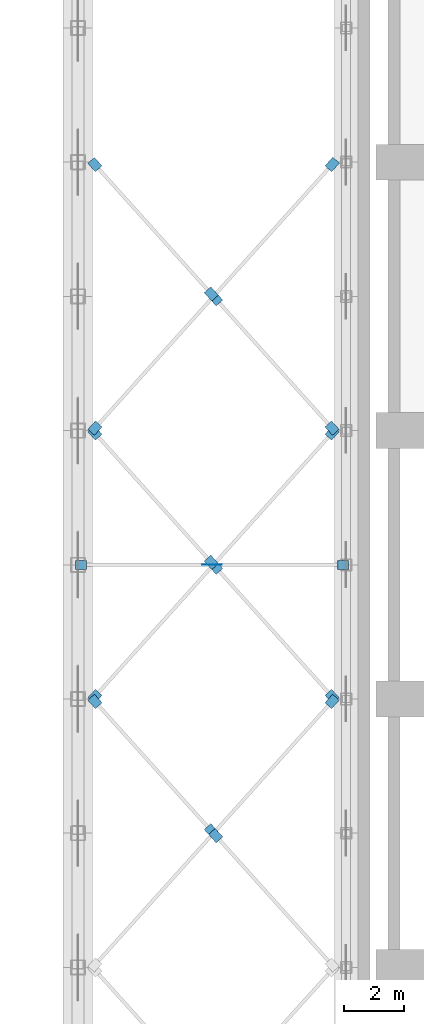
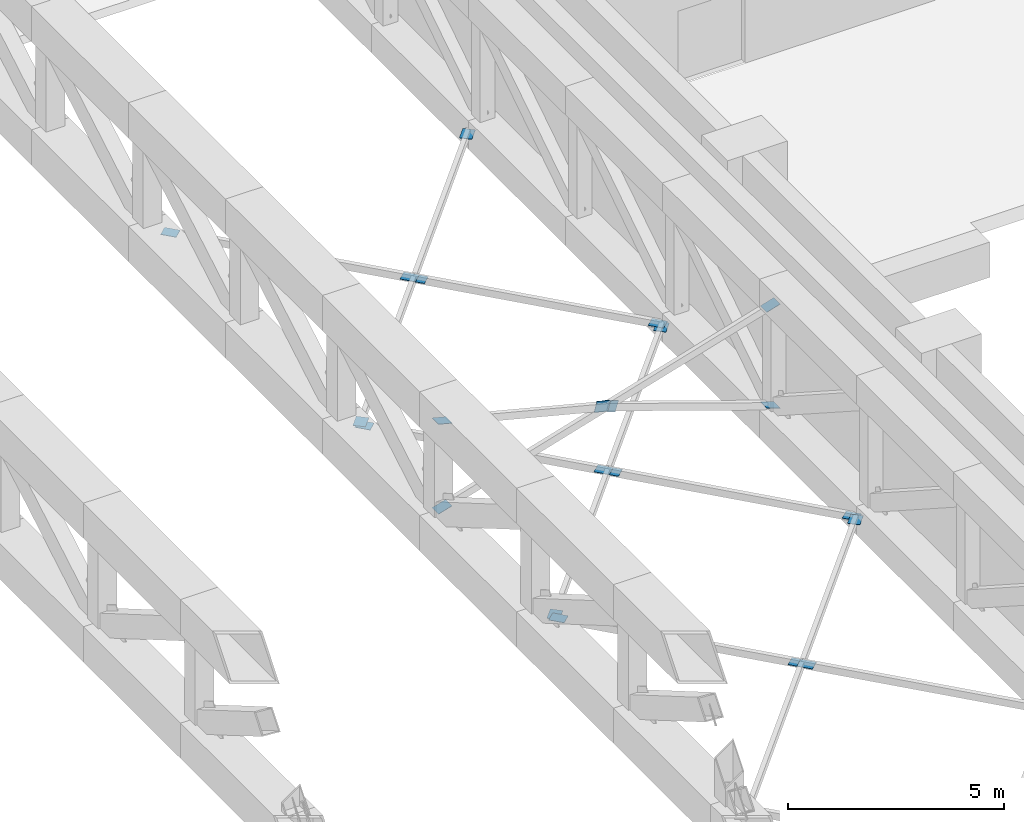
# One storey, part 64 of 76: 22 discrete accessories.
"""IFC4 building model written with IfcOpenShell, lengths in metres."""

import ifcopenshell
import ifcopenshell.guid

model = None  # the IFC model being written
_history = None  # IfcOwnerHistory: only IFC2X3 demands one
_inside = {}  # id of a spatial element -> (the spatial element, [elements in it])
_under = {}  # id of a project, library or spatial element -> (it, [spatial elements below it])
_declared = {}  # id of a project -> (the project, [libraries it declares])
_typed = {}  # id of a type object -> (the type object, [elements of that type])
_made_of = {}  # id of a material, layer set ... -> (it, [elements and type objects made of it])


def new_model(schema):
    """Start an empty IFC model of exactly this schema.

    Asked for "IFC4X3", IfcOpenShell would pick the latest addendum, in which some entities
    have other attributes; the version numbers below select the first issue.
    IFC2X3 requires an IfcOwnerHistory on every rooted entity: one is made here for all.
    """
    global model, _history
    if schema == "IFC4X3":
        model = ifcopenshell.file(schema_version=(4, 3, 0, 0))
    else:
        model = ifcopenshell.file(schema=schema)
    _inside.clear()
    _under.clear()
    _declared.clear()
    _typed.clear()
    _made_of.clear()
    _history = None
    if model.schema == "IFC2X3":
        org = make("IfcOrganization", Name="unknown")
        user = make(
            "IfcPersonAndOrganization",
            ThePerson=make("IfcPerson", FamilyName="unknown"),
            TheOrganization=org,
        )
        app = make(
            "IfcApplication",
            ApplicationDeveloper=org,
            Version="unknown",
            ApplicationFullName="unknown",
            ApplicationIdentifier="unknown",
        )
        _history = make(
            "IfcOwnerHistory",
            OwningUser=user,
            OwningApplication=app,
            ChangeAction="ADDED",
            CreationDate=0,
        )
    return model


def make(cls, **values):
    """One entity of the class cls with the attributes given. An attribute that is None is left unset."""
    return model.create_entity(
        cls, **{name: value for name, value in values.items() if value is not None}
    )


def rooted(cls, **values):
    """An entity with a GlobalId (a new one), such as an element, a storey or a relation."""
    return make(cls, GlobalId=ifcopenshell.guid.new(), OwnerHistory=_history, **values)


def si_unit(unit_type, name, prefix=None):
    """IfcSIUnit, for example si_unit("LENGTHUNIT", "METRE", prefix="MILLI")."""
    return make("IfcSIUnit", UnitType=unit_type, Prefix=prefix, Name=name)


def assignment(units):
    """IfcUnitAssignment: the units of a project."""
    return None if units is None else make("IfcUnitAssignment", Units=units)


def point(xyz):
    """IfcCartesianPoint."""
    return None if xyz is None else make("IfcCartesianPoint", Coordinates=xyz)


def direction(xyz):
    """IfcDirection."""
    return None if xyz is None else make("IfcDirection", DirectionRatios=xyz)


def frame(location, z_axis=None, x_axis=None):
    """IfcAxis2Placement3D, a coordinate frame: its origin and axes. An axis left out is left unset."""
    return make(
        "IfcAxis2Placement3D",
        Location=point(location),
        Axis=direction(z_axis),
        RefDirection=direction(x_axis),
    )


def origin():
    """The frame at (0, 0, 0) with its axes left unset."""
    return frame((0.0, 0.0, 0.0))


def place(relative_to, where):
    """IfcLocalPlacement: puts the frame where relative to a parent placement (None: the world)."""
    return make(
        "IfcLocalPlacement", PlacementRelTo=relative_to, RelativePlacement=where
    )


def context(
    kind, dimensions, precision=None, world=None, true_north=None, identifier=None
):
    """IfcGeometricRepresentationContext, for example the 3D "Model" context."""
    return make(
        "IfcGeometricRepresentationContext",
        ContextIdentifier=identifier,
        ContextType=kind,
        CoordinateSpaceDimension=dimensions,
        Precision=precision,
        WorldCoordinateSystem=world,
        TrueNorth=true_north,
    )


def subcontext(parent, identifier, kind, view, scale=None):
    """IfcGeometricRepresentationSubContext, for example "Body" below "Model"."""
    return make(
        "IfcGeometricRepresentationSubContext",
        ContextIdentifier=identifier,
        ContextType=kind,
        ParentContext=parent,
        TargetScale=scale,
        TargetView=view,
    )


def project(units=None, contexts=None):
    """IfcProject with its units and contexts."""
    return rooted(
        "IfcProject",
        Name="project",
        RepresentationContexts=contexts,
        UnitsInContext=assignment(units),
    )


def spatial(cls, under=None, at=None, **own):
    """A site, building, storey or space (cls), placed at a placement, below another one or the project."""
    s = rooted(cls, ObjectPlacement=at, **own)
    if under is not None:
        _under.setdefault(under.id(), (under, []))[1].append(s)
    return s


def polyline(points):
    """IfcPolyline through the points."""
    return make("IfcPolyline", Points=[point(p) for p in points])


def outline(outer, holes=None, kind="AREA"):
    """IfcArbitraryClosedProfileDef: a profile drawn as a closed curve; with holes, ...WithVoids."""
    if holes is None:
        return make("IfcArbitraryClosedProfileDef", ProfileType=kind, OuterCurve=outer)
    return make(
        "IfcArbitraryProfileDefWithVoids",
        ProfileType=kind,
        OuterCurve=outer,
        InnerCurves=holes,
    )


def extrude(swept, where, along, depth):
    """IfcExtrudedAreaSolid: the profile swept, set in the frame where, extruded along a direction by depth."""
    return make(
        "IfcExtrudedAreaSolid",
        SweptArea=swept,
        Position=where,
        ExtrudedDirection=direction(along),
        Depth=depth,
    )


def shape(context_of_items, identifier, shape_type, items):
    """IfcShapeRepresentation: the items that make up one representation, for example the "Body"."""
    return make(
        "IfcShapeRepresentation",
        ContextOfItems=context_of_items,
        RepresentationIdentifier=identifier,
        RepresentationType=shape_type,
        Items=items,
    )


def material(Name=None, Category=None):
    """IfcMaterial."""
    return make("IfcMaterial", Name=Name, Category=Category)


def layer(
    of_material, thickness, ventilated=None, Name=None, Category=None, Priority=None
):
    """IfcMaterialLayer: one layer of a wall or slab, of a material (None: an air gap)."""
    return make(
        "IfcMaterialLayer",
        Material=of_material,
        LayerThickness=thickness,
        IsVentilated=ventilated,
        Name=Name,
        Category=Category,
        Priority=Priority,
    )


def layer_set(layers, Name=None):
    """IfcMaterialLayerSet."""
    return make("IfcMaterialLayerSet", MaterialLayers=layers, LayerSetName=Name)


def made_of(thing, what):
    """Note that an element or type object is made of a material, layer set ...; save() writes the relation."""
    if what is not None:
        _made_of.setdefault(what.id(), (what, []))[1].append(thing)
    return thing


def type_object(cls, material=None, **own):
    """A type object (cls), such as IfcWallType, which elements share."""
    return made_of(rooted(cls, **own), material)


def element(
    cls,
    number,
    at=None,
    inside=None,
    cuts=None,
    type_object=None,
    material=None,
    context=None,
    identifier="Body",
    shape_type=None,
    held_by="IfcProductDefinitionShape",
    body=None,
    shapes=None,
    **own,
):
    """One element of the class cls, such as IfcWall. Its Tag is "e" and its number.

    at: its placement. inside: the storey or other place that contains it. cuts: it is an
    opening in that element (IfcRelVoidsElement). A single representation is given by context,
    identifier, shape_type and body (its items); several are given by shapes. held_by: the class
    of the entity that holds the representations. save() writes the other relations.
    """
    e = rooted(cls, Tag="e%d" % number, ObjectPlacement=at, **own)
    if body is not None:
        shapes = [shape(context, identifier, shape_type, body)]
    if shapes is not None:
        e.Representation = make(held_by, Representations=shapes)
    if inside is not None:
        _inside.setdefault(inside.id(), (inside, []))[1].append(e)
    if cuts is not None:
        rooted(
            "IfcRelVoidsElement", RelatingBuildingElement=cuts, RelatedOpeningElement=e
        )
    if type_object is not None:
        _typed.setdefault(type_object.id(), (type_object, []))[1].append(e)
    return made_of(e, material)


def aggregate(whole, parts):
    """IfcRelAggregates: a whole, such as a stair, and the parts it consists of."""
    return rooted("IfcRelAggregates", RelatingObject=whole, RelatedObjects=parts)


def save(model, path):
    """Write the relations noted so far, then the file.

    IfcRelAggregates (storeys below a building ...), IfcRelContainedInSpatialStructure (elements
    in a storey), IfcRelDefinesByType, IfcRelAssociatesMaterial and IfcRelDeclares: one each for
    every whole, place, type object, material and project.
    """
    for whole, parts in _under.values():
        aggregate(whole, parts)
    for where, things in _inside.values():
        rooted(
            "IfcRelContainedInSpatialStructure",
            RelatedElements=things,
            RelatingStructure=where,
        )
    for kind, things in _typed.values():
        rooted("IfcRelDefinesByType", RelatedObjects=things, RelatingType=kind)
    for what, things in _made_of.values():
        rooted("IfcRelAssociatesMaterial", RelatedObjects=things, RelatingMaterial=what)
    for by, libraries in _declared.values():
        rooted("IfcRelDeclares", RelatingContext=by, RelatedDefinitions=libraries)
    model.write(path)


model = new_model("IFC4")

# Units and contexts
model_context = context("Model", 3, precision=1e-05, world=origin(), true_north=direction((0.0, 1.0)))
body_context = subcontext(model_context, "Body", "Model", "MODEL_VIEW")
ifc_project = project(units=[si_unit("LENGTHUNIT", "METRE"), si_unit("AREAUNIT", "SQUARE_METRE"), si_unit("VOLUMEUNIT", "CUBIC_METRE"), si_unit("PLANEANGLEUNIT", "RADIAN"), si_unit("MASSUNIT", "GRAM", prefix="KILO")], contexts=[model_context])

# Site, building, storey
site_placement = place(None, origin())
site = spatial("IfcSite", under=ifc_project, at=site_placement, CompositionType="ELEMENT")
building_placement = place(site_placement, origin())
building = spatial("IfcBuilding", under=site, at=building_placement, Name="Aravalli Gate Trade Fair Centre", CompositionType="ELEMENT")
storey_placement = place(building_placement, frame((0.0, 0.0, 10.0)))
storey = spatial("IfcBuildingStorey", under=building, at=storey_placement, Name="L02", CompositionType="ELEMENT", Elevation=10.0)

# Discrete accessories
ifc_material = material(Name="Steel E350", Category="steel")
ifc_layer = layer(ifc_material, 0.011962890625)
ifc_layer_set = layer_set([ifc_layer], Name="Steel E350")
discrete_accessory_type = type_object("IfcDiscreteAccessoryType", Name="Gusset plate 300 x 300 x 12", PredefinedType="USERDEFINED", material=ifc_layer_set)
discrete_accessory_1_placement = place(storey_placement, frame((104.287841796875, 72.87744140625, 0.506103515625), z_axis=(0.0, 0.0, 1.0), x_axis=(0.668858230539, 0.743389983414, 0.0)))
element("IfcDiscreteAccessory", 1, at=discrete_accessory_1_placement, inside=storey, type_object=discrete_accessory_type, Name="Gusset plate FT plan brace bay 11 cell 3A end B", ObjectType="GUSSET PLATE", PredefinedType="USERDEFINED", context=body_context, shape_type="SweptSolid", body=[
    extrude(outline(polyline([(0.0, 0.0), (0.3799764718752623, 2.7755575615628914e-17), (0.37969756761077555, -0.3000940865699613), (-9.74125693173622e-05, -0.29993079110352105), (0.0, 0.0)])), origin(), (0.0, 0.0, -1.0), 0.011962890625),
])
discrete_accessory_2_placement = place(storey_placement, frame((96.589111328125, 72.6767578125, 0.506103515625), z_axis=(0.0, 0.0, 1.0), x_axis=(-0.669177794327, 0.743102334527, 0.0)))
element("IfcDiscreteAccessory", 2, at=discrete_accessory_2_placement, inside=storey, type_object=discrete_accessory_type, Name="Gusset plate FT plan brace bay 11 cell 3B half 1 end A", ObjectType="GUSSET PLATE", PredefinedType="USERDEFINED", context=body_context, shape_type="SweptSolid", body=[
    extrude(outline(polyline([(0.0, 0.0), (0.3797950152850963, 0.0), (0.37978151853225756, -0.3002756002170181), (-0.00019491822122905123, -0.3001122267320749), (0.0, 0.0)])), origin(), (0.0, 0.0, -1.0), 0.011962890625),
])
discrete_accessory_3_placement = place(storey_placement, frame((100.23779296875, 68.62255859375, 0.506103515625), z_axis=(0.0, 0.0, 1.0), x_axis=(0.668858230539, -0.743389983414, 0.0)))
element("IfcDiscreteAccessory", 3, at=discrete_accessory_3_placement, inside=storey, type_object=discrete_accessory_type, Name="Gusset plate FT plan brace bay 11 cell 3B half 1 end B", ObjectType="GUSSET PLATE", PredefinedType="USERDEFINED", context=body_context, shape_type="SweptSolid", body=[
    extrude(outline(polyline([(0.0, 0.0), (0.3799764718752623, -2.7755575615628914e-17), (0.3798608630772158, 0.3002755782651306), (-9.74125693173622e-05, 0.29993079110352105), (0.0, 0.0)])), origin(), (0.0, 0.0, -1.0), 0.011962890625),
])
discrete_accessory_4_placement = place(storey_placement, frame((100.63916015625, 68.1767578125, 0.506103515625), z_axis=(0.0, 0.0, 1.0), x_axis=(-0.669177794327, 0.743102334527, 0.0)))
element("IfcDiscreteAccessory", 4, at=discrete_accessory_4_placement, inside=storey, type_object=discrete_accessory_type, Name="Gusset plate FT plan brace bay 11 cell 3B half 2 end A", ObjectType="GUSSET PLATE", PredefinedType="USERDEFINED", context=body_context, shape_type="SweptSolid", body=[
    extrude(outline(polyline([(0.0, 0.0), (0.3797950152850963, 0.0), (0.3799448920172008, -0.30009417874862776), (-0.00019491822122905123, -0.3001122267320749), (0.0, 0.0)])), origin(), (0.0, 0.0, -1.0), 0.011962890625),
])
discrete_accessory_5_placement = place(storey_placement, frame((96.812255859375, 73.12255859375, 0.506103515625), z_axis=(0.0, 0.0, 1.0), x_axis=(-0.668858230539, -0.743389983414, 0.0)))
element("IfcDiscreteAccessory", 5, at=discrete_accessory_5_placement, inside=storey, type_object=discrete_accessory_type, Name="Gusset plate FT plan brace bay 11 cell 4A end A", ObjectType="GUSSET PLATE", PredefinedType="USERDEFINED", context=body_context, shape_type="SweptSolid", body=[
    extrude(outline(polyline([(0.0, 0.0), (0.3799764718752623, 2.7755575615628914e-17), (0.3798608630772158, -0.3002755782651306), (6.588289712286532e-05, -0.30011228279869046), (0.0, 0.0)])), origin(), (0.0, 0.0, -1.0), 0.011962890625),
])
discrete_accessory_6_placement = place(storey_placement, frame((104.287841796875, 81.87744140625, 0.506103515625), z_axis=(0.0, 0.0, 1.0), x_axis=(0.668858230539, 0.743389983414, 0.0)))
element("IfcDiscreteAccessory", 6, at=discrete_accessory_6_placement, inside=storey, type_object=discrete_accessory_type, Name="Gusset plate FT plan brace bay 11 cell 4A end B", ObjectType="GUSSET PLATE", PredefinedType="USERDEFINED", context=body_context, shape_type="SweptSolid", body=[
    extrude(outline(polyline([(0.0, 0.0), (0.3799764718752623, 2.7755575615628914e-17), (0.37969756761077555, -0.3000940865699613), (-9.74125693173622e-05, -0.29993079110352105), (0.0, 0.0)])), origin(), (0.0, 0.0, -1.0), 0.011962890625),
])
discrete_accessory_7_placement = place(storey_placement, frame((96.589111328125, 81.6767578125, 0.506103515625), z_axis=(0.0, 0.0, 1.0), x_axis=(-0.669177794327, 0.743102334527, 0.0)))
element("IfcDiscreteAccessory", 7, at=discrete_accessory_7_placement, inside=storey, type_object=discrete_accessory_type, Name="Gusset plate FT plan brace bay 11 cell 4B half 1 end A", ObjectType="GUSSET PLATE", PredefinedType="USERDEFINED", context=body_context, shape_type="SweptSolid", body=[
    extrude(outline(polyline([(0.0, 0.0), (0.3797950152850963, 0.0), (0.37978151853225756, -0.3002756002170181), (-0.00019491822122905123, -0.3001122267320749), (0.0, 0.0)])), origin(), (0.0, 0.0, -1.0), 0.011962890625),
])
discrete_accessory_8_placement = place(storey_placement, frame((100.23779296875, 77.62255859375, 0.506103515625), z_axis=(0.0, 0.0, 1.0), x_axis=(0.668858230539, -0.743389983414, 0.0)))
element("IfcDiscreteAccessory", 8, at=discrete_accessory_8_placement, inside=storey, type_object=discrete_accessory_type, Name="Gusset plate FT plan brace bay 11 cell 4B half 1 end B", ObjectType="GUSSET PLATE", PredefinedType="USERDEFINED", context=body_context, shape_type="SweptSolid", body=[
    extrude(outline(polyline([(0.0, 0.0), (0.3799764718752623, -2.7755575615628914e-17), (0.3798608630772158, 0.3002755782651306), (-9.74125693173622e-05, 0.29993079110352105), (0.0, 0.0)])), origin(), (0.0, 0.0, -1.0), 0.011962890625),
])
discrete_accessory_9_placement = place(storey_placement, frame((100.63916015625, 77.1767578125, 0.506103515625), z_axis=(0.0, 0.0, 1.0), x_axis=(-0.669177794327, 0.743102334527, 0.0)))
element("IfcDiscreteAccessory", 9, at=discrete_accessory_9_placement, inside=storey, type_object=discrete_accessory_type, Name="Gusset plate FT plan brace bay 11 cell 4B half 2 end A", ObjectType="GUSSET PLATE", PredefinedType="USERDEFINED", context=body_context, shape_type="SweptSolid", body=[
    extrude(outline(polyline([(0.0, 0.0), (0.3797950152850963, 0.0), (0.3799448920172008, -0.30009417874862776), (-0.00019491822122905123, -0.3001122267320749), (0.0, 0.0)])), origin(), (0.0, 0.0, -1.0), 0.011962890625),
])
discrete_accessory_10_placement = place(storey_placement, frame((104.287841796875, 73.12255859375, 0.506103515625), z_axis=(0.0, 0.0, 1.0), x_axis=(0.668858230539, -0.743389983414, 0.0)))
element("IfcDiscreteAccessory", 10, at=discrete_accessory_10_placement, inside=storey, type_object=discrete_accessory_type, Name="Gusset plate FT plan brace bay 11 cell 4B half 2 end B", ObjectType="GUSSET PLATE", PredefinedType="USERDEFINED", context=body_context, shape_type="SweptSolid", body=[
    extrude(outline(polyline([(0.0, 0.0), (0.3799764718752623, -2.7755575615628914e-17), (0.37969756761077555, 0.3000940865699613), (-9.74125693173622e-05, 0.29993079110352105), (0.0, 0.0)])), origin(), (0.0, 0.0, -1.0), 0.011962890625),
])
discrete_accessory_11_placement = place(storey_placement, frame((96.812255859375, 82.12255859375, 0.506103515625), z_axis=(0.0, 0.0, 1.0), x_axis=(-0.668858230539, -0.743389983414, 0.0)))
element("IfcDiscreteAccessory", 11, at=discrete_accessory_11_placement, inside=storey, type_object=discrete_accessory_type, Name="Gusset plate FT plan brace bay 11 cell 5A end A", ObjectType="GUSSET PLATE", PredefinedType="USERDEFINED", context=body_context, shape_type="SweptSolid", body=[
    extrude(outline(polyline([(0.0, 0.0), (0.3799764718752623, 2.7755575615628914e-17), (0.3798608630772158, -0.3002755782651306), (6.588289712286532e-05, -0.30011228279869046), (0.0, 0.0)])), origin(), (0.0, 0.0, -1.0), 0.011962890625),
])
discrete_accessory_12_placement = place(storey_placement, frame((104.5107421875, 90.6767578125, 0.506103515625), z_axis=(0.0, 0.0, 1.0), x_axis=(0.669102271708, 0.743170337134, 0.0)))
element("IfcDiscreteAccessory", 12, at=discrete_accessory_12_placement, inside=storey, type_object=discrete_accessory_type, Name="Gusset plate FT plan brace bay 11 cell 5A end B", ObjectType="GUSSET PLATE", PredefinedType="USERDEFINED", context=body_context, shape_type="SweptSolid", body=[
    extrude(outline(polyline([(0.0, 0.0), (0.39224373159754844, 0.0), (0.3922426678902669, 0.29993080692063157), (-1.0637072815067317e-06, 0.29993080692063157), (0.0, 0.0)])), origin(), (0.0, 0.0, -1.0), 0.011962890625),
])
discrete_accessory_13_placement = place(storey_placement, frame((96.589111328125, 90.6767578125, 0.506103515625), z_axis=(0.0, 0.0, 1.0), x_axis=(-0.669177794327, 0.743102334527, 0.0)))
element("IfcDiscreteAccessory", 13, at=discrete_accessory_13_placement, inside=storey, type_object=discrete_accessory_type, Name="Gusset plate FT plan brace bay 11 cell 5B half 1 end A", ObjectType="GUSSET PLATE", PredefinedType="USERDEFINED", context=body_context, shape_type="SweptSolid", body=[
    extrude(outline(polyline([(0.0, 0.0), (0.3797950152850963, 0.0), (0.37978151853225756, -0.3002756002170181), (-0.00019491822122905123, -0.3001122267320749), (0.0, 0.0)])), origin(), (0.0, 0.0, -1.0), 0.011962890625),
])
discrete_accessory_14_placement = place(storey_placement, frame((100.23779296875, 86.62255859375, 0.506103515625), z_axis=(0.0, 0.0, 1.0), x_axis=(0.668858230539, -0.743389983414, 0.0)))
element("IfcDiscreteAccessory", 14, at=discrete_accessory_14_placement, inside=storey, type_object=discrete_accessory_type, Name="Gusset plate FT plan brace bay 11 cell 5B half 1 end B", ObjectType="GUSSET PLATE", PredefinedType="USERDEFINED", context=body_context, shape_type="SweptSolid", body=[
    extrude(outline(polyline([(0.0, 0.0), (0.3799764718752623, -2.7755575615628914e-17), (0.3798608630772158, 0.3002755782651306), (-9.74125693173622e-05, 0.29993079110352105), (0.0, 0.0)])), origin(), (0.0, 0.0, -1.0), 0.011962890625),
])
discrete_accessory_15_placement = place(storey_placement, frame((100.63916015625, 86.1767578125, 0.506103515625), z_axis=(0.0, 0.0, 1.0), x_axis=(-0.669177794327, 0.743102334527, 0.0)))
element("IfcDiscreteAccessory", 15, at=discrete_accessory_15_placement, inside=storey, type_object=discrete_accessory_type, Name="Gusset plate FT plan brace bay 11 cell 5B half 2 end A", ObjectType="GUSSET PLATE", PredefinedType="USERDEFINED", context=body_context, shape_type="SweptSolid", body=[
    extrude(outline(polyline([(0.0, 0.0), (0.3797950152850963, 0.0), (0.3799448920172008, -0.30009417874862776), (-0.00019491822122905123, -0.3001122267320749), (0.0, 0.0)])), origin(), (0.0, 0.0, -1.0), 0.011962890625),
])
discrete_accessory_16_placement = place(storey_placement, frame((104.287841796875, 82.12255859375, 0.506103515625), z_axis=(0.0, 0.0, 1.0), x_axis=(0.668858230539, -0.743389983414, 0.0)))
element("IfcDiscreteAccessory", 16, at=discrete_accessory_16_placement, inside=storey, type_object=discrete_accessory_type, Name="Gusset plate FT plan brace bay 11 cell 5B half 2 end B", ObjectType="GUSSET PLATE", PredefinedType="USERDEFINED", context=body_context, shape_type="SweptSolid", body=[
    extrude(outline(polyline([(0.0, 0.0), (0.3799764718752623, -2.7755575615628914e-17), (0.37969756761077555, 0.3000940865699613), (-9.74125693173622e-05, 0.29993079110352105), (0.0, 0.0)])), origin(), (0.0, 0.0, -1.0), 0.011962890625),
])
discrete_accessory_17_placement = place(storey_placement, frame((96.28564453125, 77.35009765625, 1.092041015625), z_axis=(-0.287171062086, 0.0, 0.957879314476), x_axis=(-0.957879314476, 0.0, -0.287171062086)))
element("IfcDiscreteAccessory", 17, at=discrete_accessory_17_placement, inside=storey, type_object=discrete_accessory_type, Name="Gusset plate FT vertical brace bay 11 frame 2A end A", ObjectType="GUSSET PLATE", PredefinedType="USERDEFINED", context=body_context, shape_type="SweptSolid", body=[
    extrude(outline(polyline([(0.0, 0.0), (0.38002039126847675, 0.0), (0.38002039126847675, -0.2998046875), (0.0, -0.2998046875), (0.0, 0.0)])), origin(), (0.0, 0.0, -1.0), 0.011962890625),
])
discrete_accessory_18_placement = place(storey_placement, frame((104.7109375, 77.35009765625, 3.619384765625), z_axis=(-0.287760359434, 0.0, 0.957702446242), x_axis=(0.957702446242, 0.0, 0.287760359434)))
element("IfcDiscreteAccessory", 18, at=discrete_accessory_18_placement, inside=storey, type_object=discrete_accessory_type, Name="Gusset plate FT vertical brace bay 11 frame 2A end B", ObjectType="GUSSET PLATE", PredefinedType="USERDEFINED", context=body_context, shape_type="SweptSolid", body=[
    extrude(outline(polyline([(0.0, 0.0), (0.3800905733334098, 0.0), (0.3800905733334098, 0.2998046875), (0.0, 0.2998046875), (0.0, 0.0)])), origin(), (0.0, 0.0, -1.0), 0.011962890625),
])
discrete_accessory_19_placement = place(storey_placement, frame((96.2919921875, 77.35009765625, 3.431396484375), z_axis=(0.248127890798, 0.0, 0.968727283506), x_axis=(-0.968727283506, 0.0, 0.248127890798)))
element("IfcDiscreteAccessory", 19, at=discrete_accessory_19_placement, inside=storey, type_object=discrete_accessory_type, Name="Gusset plate FT vertical brace bay 11 frame 2B half 1 end A", ObjectType="GUSSET PLATE", PredefinedType="USERDEFINED", context=body_context, shape_type="SweptSolid", body=[
    extrude(outline(polyline([(0.0, 0.0), (0.37979721242455194, 0.0), (0.37979721242455194, -0.2998046875), (0.0, -0.2998046875), (0.0, 0.0)])), origin(), (0.0, 0.0, -1.0), 0.011962890625),
])
discrete_accessory_20_placement = place(storey_placement, frame((100.172119140625, 77.493896484375, 2.279052734375), z_axis=(0.0, -1.0, 0.0), x_axis=(0.968766823256, 0.0, -0.247973470674)))
element("IfcDiscreteAccessory", 20, at=discrete_accessory_20_placement, inside=storey, type_object=discrete_accessory_type, Name="Gusset plate FT vertical brace bay 11 frame 2B half 1 end B", ObjectType="GUSSET PLATE", PredefinedType="USERDEFINED", context=body_context, shape_type="SweptSolid", body=[
    extrude(outline(polyline([(0.0, 0.0), (0.3800337229371336, 0.0), (0.37983077144708355, 0.30009404823804164), (9.41042457728164e-05, 0.2999180732984465), (0.0, 0.0)])), origin(), (0.0, 0.0, -1.0), 0.011962890625),
])
discrete_accessory_21_placement = place(storey_placement, frame((100.73486328125, 77.506103515625, 2.110595703125), z_axis=(0.0, 1.0, 0.0), x_axis=(-0.945686599305, 0.0, 0.325079768511)))
element("IfcDiscreteAccessory", 21, at=discrete_accessory_21_placement, inside=storey, type_object=discrete_accessory_type, Name="Gusset plate FT vertical brace bay 11 frame 2B half 2 end A", ObjectType="GUSSET PLATE", PredefinedType="USERDEFINED", context=body_context, shape_type="SweptSolid", body=[
    extrude(outline(polyline([(0.0, 0.0), (0.3800149016219126, 1.3877787807814457e-17), (0.37988503133087037, 0.30002923237223494), (-0.00020923546890137812, 0.2997983518548265), (0.0, 0.0)])), origin(), (0.0, 0.0, -1.0), 0.011962890625),
])
discrete_accessory_22_placement = place(storey_placement, frame((104.71826171875, 77.35009765625, 0.9033203125), z_axis=(0.325654146488, 0.0, 0.945488961795), x_axis=(0.945488961795, 0.0, -0.325654146488)))
element("IfcDiscreteAccessory", 22, at=discrete_accessory_22_placement, inside=storey, type_object=discrete_accessory_type, Name="Gusset plate FT vertical brace bay 11 frame 2B half 2 end B", ObjectType="GUSSET PLATE", PredefinedType="USERDEFINED", context=body_context, shape_type="SweptSolid", body=[
    extrude(outline(polyline([(0.0, 0.0), (0.38009433692159816, 0.0), (0.38009433692159816, 0.2998046875), (0.0, 0.2998046875), (0.0, 0.0)])), origin(), (0.0, 0.0, -1.0), 0.011962890625),
])

save(model, "model.ifc")
